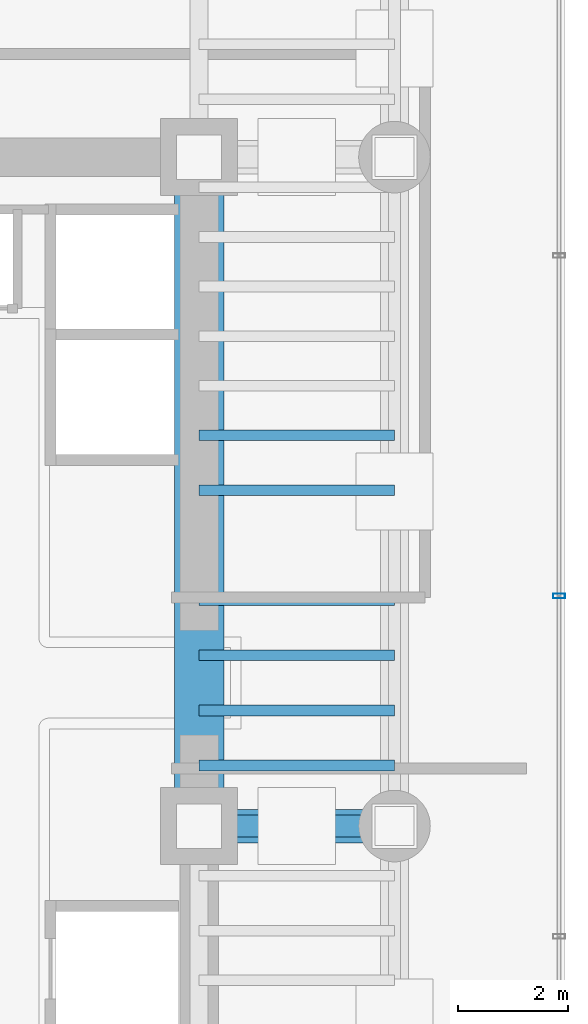
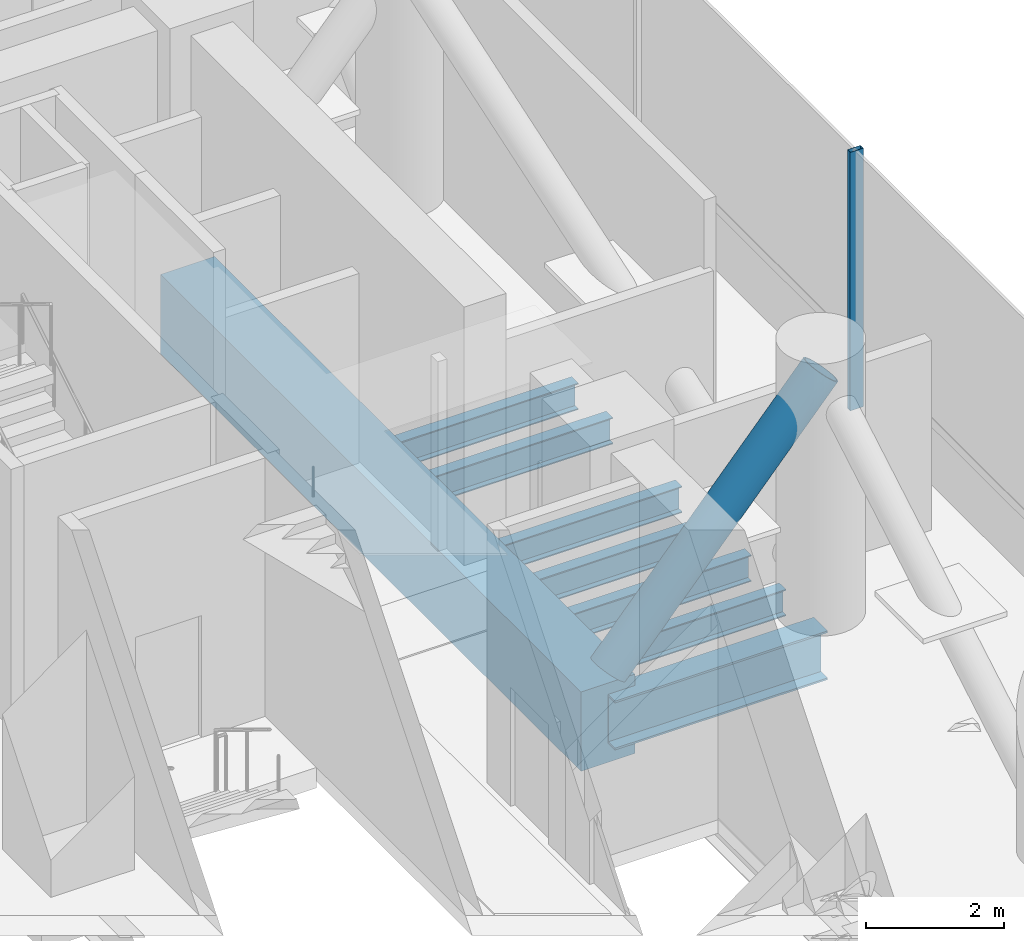
# One storey, part 19 of 39: 8 beams, 2 members, 1 element without a shape of its own.
"""IFC4 building model written with IfcOpenShell, lengths in metres."""

from ifc_helpers import new_model, si_unit, direction, frame, origin, origin_2d, place, context, subcontext, project, spatial, rectangle, hollow_rectangle, hollow_circle, i_section, extrude, source, transform, mapped, material, material_profile, profile_set, type_object, element, aggregate, save


model = new_model("IFC4")

# Units and contexts
model_context = context("Model", 3, precision=1e-05, world=origin(), true_north=direction((0.0, 1.0)))
body_context = subcontext(model_context, "Body", "Model", "MODEL_VIEW")
ifc_project = project(units=[si_unit("LENGTHUNIT", "METRE"), si_unit("AREAUNIT", "SQUARE_METRE"), si_unit("VOLUMEUNIT", "CUBIC_METRE"), si_unit("PLANEANGLEUNIT", "RADIAN"), si_unit("MASSUNIT", "GRAM", prefix="KILO")], contexts=[model_context])

# Site, building, storey
site_placement = place(None, origin())
site = spatial("IfcSite", under=ifc_project, at=site_placement, CompositionType="ELEMENT")
building_placement = place(site_placement, origin())
building = spatial("IfcBuilding", under=site, at=building_placement, Name="Valdorenza Pilgrim Sanctuary Tower", CompositionType="ELEMENT")
storey_placement = place(building_placement, frame((0.0, 0.0, 96.300048828125)))
storey = spatial("IfcBuildingStorey", under=building, at=storey_placement, Name="L24", CompositionType="ELEMENT", Elevation=96.300048828125)

# Beams
ifc_material_1 = material(Name="Concrete C60/75", Category="concrete")
ifc_material_profile_1 = material_profile(ifc_material_1, rectangle(XDim=0.89990234375, YDim=1.39990234375, at=origin_2d()), Name="RC 1400x900")
ifc_profile_set_1 = profile_set([ifc_material_profile_1], Name="Concrete C60/75")
beam_type_1 = type_object("IfcBeamType", Name="STR-BM-LNT-1400", PredefinedType="LINTEL", material=ifc_profile_set_1)
shared_shape_1 = source(origin(), body_context, "Body", "SweptSolid", [
    extrude(rectangle(XDim=0.89990234375, YDim=1.39990234375, at=origin_2d()), origin(), (0.0, 0.0, 1.0), 12.150146484375),
])
beam_1_placement = place(storey_placement, frame((24.85009765625, -2.60009765625, -0.739990234375), z_axis=(0.0, 1.0, 0.0), x_axis=(-1.0, 0.0, 0.0)))
element("IfcBeam", 1, at=beam_1_placement, inside=storey, type_object=beam_type_1, Name="L24 Core B East Coupling Lintel Girder", PredefinedType="LINTEL", context=body_context, shape_type="MappedRepresentation", body=[
    mapped(shared_shape_1, transform((0.0, 0.0, 0.0), x_axis=(1.0, 0.0, 0.0), y_axis=(0.0, 1.0, 0.0), z_axis=(0.0, 0.0, 1.0), scale=1.0)),
])
ifc_material_2 = material(Name="Steel ASTM A992 Grade 50", Category="steel")
ifc_material_profile_2 = material_profile(ifc_material_2, i_section(OverallWidth=0.193115234375, OverallDepth=0.466064453125, WebThickness=0.011474609375, FlangeThickness=0.01904296875, at=origin_2d()), Name="W18X65")
ifc_profile_set_2 = profile_set([ifc_material_profile_2], Name="Steel ASTM A992 Grade 50")
beam_type_2 = type_object("IfcBeamType", Name="STR-BM-JST-W18A", PredefinedType="JOIST", material=ifc_profile_set_2)
shared_shape_2 = source(origin(), body_context, "Body", "SweptSolid", [
    extrude(i_section(OverallWidth=0.193115234375, OverallDepth=0.466064453125, WebThickness=0.011474609375, FlangeThickness=0.01904296875, at=origin_2d()), origin(), (0.0, 0.0, 1.0), 3.5498046875),
])
for number, where, z_axis, x_axis, name in (
    (2, (24.85009765625, -1.5, -0.47314453125), (1.0, 0.0, 0.0), (0.0, 1.0, 0.0), "L24 Composite Floor Joist JST-WB-8"),
    (3, (24.85009765625, -0.5, -0.47314453125), (1.0, 0.0, 0.0), (0.0, 1.0, 0.0), "L24 Composite Floor Joist JST-WB-9"),
    (4, (24.85009765625, 0.5, -0.47314453125), (1.0, 0.0, 0.0), (0.0, 1.0, 0.0), "L24 Composite Floor Joist JST-WB-10"),
    (5, (24.85009765625, 1.5, -0.47314453125), (1.0, 0.0, 0.0), (0.0, 1.0, 0.0), "L24 Composite Floor Joist JST-WB-11"),
    (6, (24.85009765625, 3.5, -0.47314453125), (1.0, 0.0, 0.0), (0.0, 1.0, 0.0), "L24 Composite Floor Joist JST-WB-12"),
    (7, (24.85009765625, 4.5, -0.47314453125), (1.0, 0.0, 0.0), (0.0, 1.0, 0.0), "L24 Composite Floor Joist JST-WB-13"),
):
    element("IfcBeam", number, at=place(storey_placement, frame(where, z_axis=z_axis, x_axis=x_axis)), inside=storey, type_object=beam_type_2, Name=name, PredefinedType="JOIST", context=body_context, shape_type="MappedRepresentation", body=[
        mapped(shared_shape_2, transform((0.0, 0.0, 0.0), x_axis=(1.0, 0.0, 0.0), y_axis=(0.0, 1.0, 0.0), z_axis=(0.0, 0.0, 1.0), scale=1.0)),
    ])
ifc_material_profile_3 = material_profile(ifc_material_2, i_section(OverallWidth=0.39990234375, OverallDepth=0.862060546875, WebThickness=0.019775390625, FlangeThickness=0.032470703125, at=origin_2d()), Name="W33X221")
ifc_profile_set_3 = profile_set([ifc_material_profile_3], Name="Steel ASTM A992 Grade 50")
beam_type_3 = type_object("IfcBeamType", Name="STR-BM-GRD-W33", PredefinedType="BEAM", material=ifc_profile_set_3)
shared_shape_3 = source(origin(), body_context, "Body", "SweptSolid", [
    extrude(i_section(OverallWidth=0.39990234375, OverallDepth=0.862060546875, WebThickness=0.019775390625, FlangeThickness=0.032470703125, at=origin_2d()), origin(), (0.0, 0.0, 1.0), 3.5498046875),
])
beam_2_placement = place(storey_placement, frame((24.85009765625, -2.60009765625, -0.671142578125), z_axis=(1.0, 0.0, 0.0), x_axis=(0.0, 1.0, 0.0)))
element("IfcBeam", 8, at=beam_2_placement, inside=storey, type_object=beam_type_3, Name="L24 Floor Girder WB-XE-M0", PredefinedType="BEAM", context=body_context, shape_type="MappedRepresentation", body=[
    mapped(shared_shape_3, transform((0.0, 0.0, 0.0), x_axis=(1.0, 0.0, 0.0), y_axis=(0.0, 1.0, 0.0), z_axis=(0.0, 0.0, 1.0), scale=1.0)),
])

# Member
ifc_material_3 = material(Name="Steel S355J2", Category="steel")
ifc_material_profile_4 = material_profile(ifc_material_3, hollow_circle(Radius=0.304931640625, WallThickness=0.02490234375, at=origin_2d()), Name="CHS 610x25")
ifc_profile_set_4 = profile_set([ifc_material_profile_4], Name="Steel S355J2")
member_type_1 = type_object("IfcMemberType", Name="STR-MB-CHS-610", PredefinedType="STRUT", material=ifc_profile_set_4)
shared_shape_4 = source(origin(), body_context, "Body", "SweptSolid", [
    extrude(hollow_circle(Radius=0.304931640625, WallThickness=0.02490234375, at=origin_2d()), origin(), (0.0, 0.0, 1.0), 5.385498046875),
])
member_1_placement = place(storey_placement, frame((24.85009765625, -2.60009765625, 0.199951171875), z_axis=(0.659136625441, 0.0, 0.752023210415), x_axis=(0.0, 1.0, 0.0)))
element("IfcMember", 9, at=member_1_placement, inside=storey, type_object=member_type_1, Name="L24 East Wing Outrigger Truss Strut WB2", PredefinedType="STRUT", context=body_context, shape_type="MappedRepresentation", body=[
    mapped(shared_shape_4, transform((0.0, 0.0, 0.0), x_axis=(1.0, 0.0, 0.0), y_axis=(0.0, 1.0, 0.0), z_axis=(0.0, 0.0, 1.0), scale=1.0)),
])

# Curtain wall, member
ifc_material_4 = material(Name="Curtain-wall IGU glazing", Category="glass")
curtain_wall_type = type_object("IfcCurtainWallType", Name="CW-SYS-03", PredefinedType="NOTDEFINED", material=ifc_material_4)
curtain_wall_placement = place(storey_placement, origin())
curtain_wall = element("IfcCurtainWall", 10, at=curtain_wall_placement, inside=storey, type_object=curtain_wall_type, Name="L24 Curtain Wall CW-L24-1-21", PredefinedType="NOTDEFINED")
ifc_material_5 = material(Name="Anodised aluminium AW-6060", Category="aluminium")
ifc_material_profile_5 = material_profile(ifc_material_5, hollow_rectangle(XDim=0.0849609375, YDim=0.219970703125, WallThickness=0.0048828125, at=origin_2d()), Name="ALU-M 220x85x5")
ifc_profile_set_5 = profile_set([ifc_material_profile_5], Name="Anodised aluminium AW-6060")
member_type_2 = type_object("IfcMemberType", Name="CW-MUL-03", PredefinedType="MULLION", material=ifc_profile_set_5)
shared_shape_5 = source(origin(), body_context, "Body", "SweptSolid", [
    extrude(hollow_rectangle(XDim=0.0849609375, YDim=0.219970703125, WallThickness=0.0048828125, at=origin_2d()), origin(), (0.0, 0.0, 1.0), 4.56005859375),
])
member_2_placement = place(storey_placement, frame((31.389892578125, 1.577880859375, 0.0), z_axis=(0.0, 0.0, 1.0), x_axis=(0.0, -1.0, 0.0)))
member_2 = element("IfcMember", 11, at=member_2_placement, type_object=member_type_2, Name="CW-L24-1-21 Mullion 3", PredefinedType="MULLION", context=body_context, shape_type="MappedRepresentation", body=[
    mapped(shared_shape_5, transform((0.0, 0.0, 0.0), x_axis=(1.0, 0.0, 0.0), y_axis=(0.0, 1.0, 0.0), z_axis=(0.0, 0.0, 1.0), scale=1.0)),
])
aggregate(curtain_wall, [member_2])

save(model, "model.ifc")
